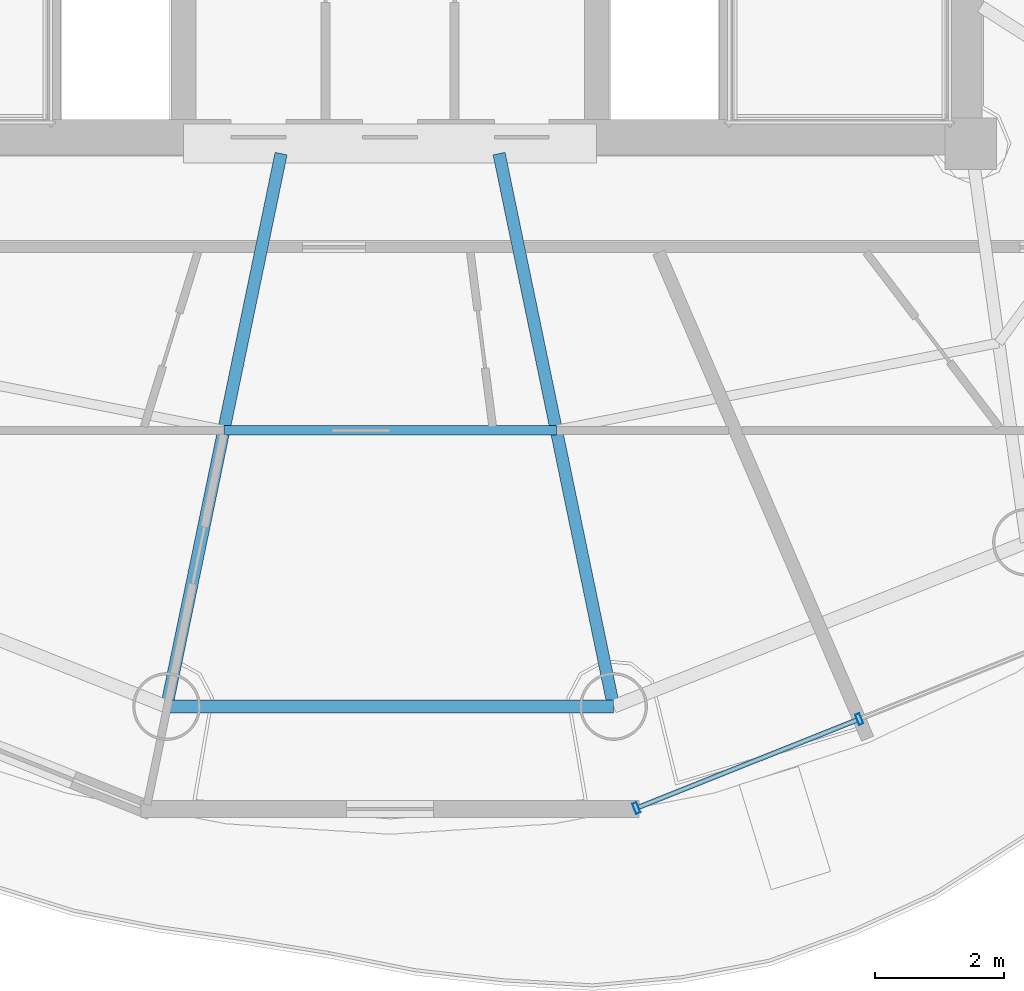
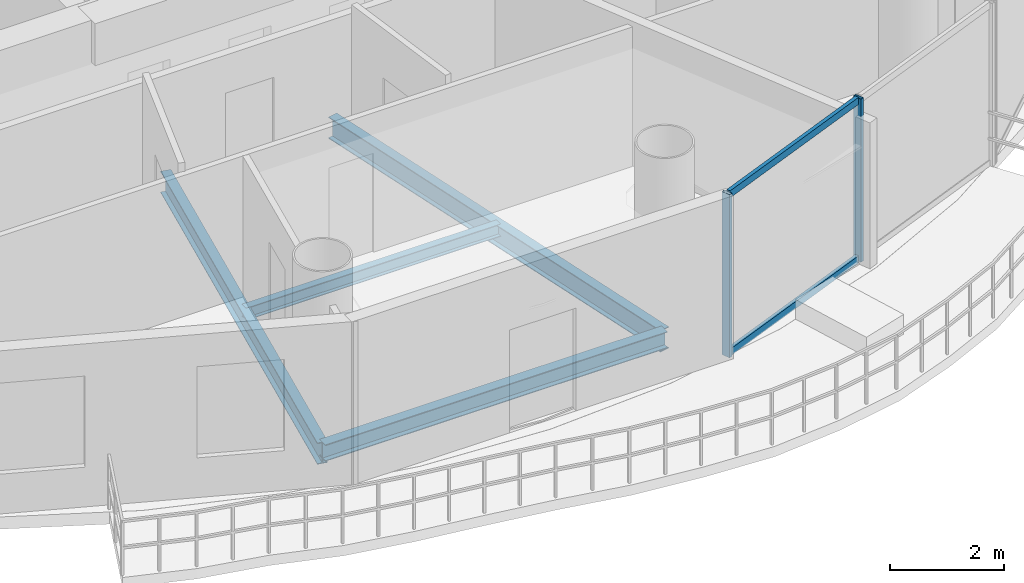
# One storey, part 5 of 24: 4 beams, 4 members, 1 element without a shape of its own.
"""IFC4 building model written with IfcOpenShell, lengths in metres."""

from ifc_helpers import new_model, si_unit, direction, frame, origin, origin_2d, place, context, subcontext, project, spatial, hollow_rectangle, i_section, extrude, source, transform, mapped, material, material_profile, profile_set, type_object, element, aggregate, save


model = new_model("IFC4")

# Units and contexts
model_context = context("Model", 3, precision=1e-05, world=origin(), true_north=direction((-0.2419218956, 0.970295726276)))
body_context = subcontext(model_context, "Body", "Model", "MODEL_VIEW")
ifc_project = project(units=[si_unit("LENGTHUNIT", "METRE"), si_unit("AREAUNIT", "SQUARE_METRE"), si_unit("VOLUMEUNIT", "CUBIC_METRE"), si_unit("PLANEANGLEUNIT", "RADIAN"), si_unit("MASSUNIT", "GRAM", prefix="KILO")], contexts=[model_context])

# Site, building, storey
site_placement = place(None, origin())
site = spatial("IfcSite", under=ifc_project, at=site_placement, CompositionType="ELEMENT")
building_placement = place(site_placement, origin())
building = spatial("IfcBuilding", under=site, at=building_placement, Name="Cobrevalo Terracotta Tower", CompositionType="ELEMENT")
storey_placement = place(building_placement, frame((0.0, 0.0, 278.199951171875)))
storey = spatial("IfcBuildingStorey", under=building, at=storey_placement, Name="L73", CompositionType="ELEMENT", Elevation=278.199951171875)

# Beams
ifc_material_1 = material(Name="Steel S355", Category="steel")
ifc_material_profile_1 = material_profile(ifc_material_1, i_section(OverallWidth=0.19091796875, OverallDepth=0.4599609375, WebThickness=0.010009765625, FlangeThickness=0.01611328125, at=origin_2d()), Name="W 460x82")
ifc_profile_set_1 = profile_set([ifc_material_profile_1], Name="Steel S355")
beam_type_1 = type_object("IfcBeamType", Name="Structural Beam W 460x82 (Steel S355)", PredefinedType="BEAM", material=ifc_profile_set_1)
for number, where, z_axis, x_axis, name in (
    (1, (34.537109375, 10.07763671875, -0.489990234375), (0.202781841237, 0.9792239401, 0.0), (-0.9792239401, 0.202781841237, 0.0), "L73 radial floor girder 12"),
    (2, (41.462890625, 10.07763671875, -0.489990234375), (-0.202781841237, 0.9792239401, 0.0), (-0.9792239401, -0.202781841237, 0.0), "L73 radial floor girder 13"),
):
    element("IfcBeam", number, at=place(storey_placement, frame(where, z_axis=z_axis, x_axis=x_axis)), inside=storey, type_object=beam_type_1, Name=name, PredefinedType="BEAM", context=body_context, shape_type="SweptSolid", body=[
        extrude(i_section(OverallWidth=0.19091796875, OverallDepth=0.4599609375, WebThickness=0.010009765625, FlangeThickness=0.01611328125, at=origin_2d()), origin(), (0.0, 0.0, 1.0), 8.749267578125),
    ])
ifc_material_profile_2 = material_profile(ifc_material_1, i_section(OverallWidth=0.14794921875, OverallDepth=0.26611328125, WebThickness=0.007568359375, FlangeThickness=0.012939453125, at=origin_2d()), Name="W 250x44.8")
ifc_profile_set_2 = profile_set([ifc_material_profile_2], Name="Steel S355")
beam_type_2 = type_object("IfcBeamType", Name="Structural Joist W 250x44.8 (Steel S355)", PredefinedType="JOIST", material=ifc_profile_set_2)
beam_1_placement = place(storey_placement, frame((35.42431640625, 14.361328125, -0.39306640625), z_axis=(1.0, 0.0, 0.0), x_axis=(0.0, 1.0, 0.0)))
element("IfcBeam", 3, at=beam_1_placement, inside=storey, type_object=beam_type_2, Name="L73 circumferential secondary floor joist 12", PredefinedType="JOIST", context=body_context, shape_type="SweptSolid", body=[
    extrude(i_section(OverallWidth=0.14794921875, OverallDepth=0.26611328125, WebThickness=0.007568359375, FlangeThickness=0.012939453125, at=origin_2d()), origin(), (0.0, 0.0, 1.0), 5.1513671875),
])
ifc_material_profile_3 = material_profile(ifc_material_1, i_section(OverallWidth=0.205078125, OverallDepth=0.35400390625, WebThickness=0.009521484375, FlangeThickness=0.016845703125, at=origin_2d()), Name="W 360x79")
ifc_profile_set_3 = profile_set([ifc_material_profile_3], Name="Steel S355")
beam_type_3 = type_object("IfcBeamType", Name="Structural Spandrel W 360x79 (Steel S355)", PredefinedType="SPANDREL", material=ifc_profile_set_3)
beam_2_placement = place(storey_placement, frame((34.537109375, 10.07763671875, -0.43701171875), z_axis=(1.0, 0.0, 0.0), x_axis=(0.0, 1.0, 0.0)))
element("IfcBeam", 4, at=beam_2_placement, inside=storey, type_object=beam_type_3, Name="L73 perimeter ring spandrel 12", PredefinedType="SPANDREL", context=body_context, shape_type="SweptSolid", body=[
    extrude(i_section(OverallWidth=0.205078125, OverallDepth=0.35400390625, WebThickness=0.009521484375, FlangeThickness=0.016845703125, at=origin_2d()), origin(), (0.0, 0.0, 1.0), 6.92578125),
])

# Curtain wall, members
ifc_material_2 = material(Name="Anodized aluminium", Category="aluminium")
curtain_wall_type = type_object("IfcCurtainWallType", Name="Upper-tower triple-glazed penthouse curtain wall CW-U3", PredefinedType="NOTDEFINED", material=ifc_material_2)
curtain_wall_placement = place(storey_placement, origin())
curtain_wall = element("IfcCurtainWall", 5, at=curtain_wall_placement, inside=storey, type_object=curtain_wall_type, Name="L73 curtain wall CW-L73-S13", PredefinedType="NOTDEFINED")
ifc_material_profile_4 = material_profile(ifc_material_2, hollow_rectangle(XDim=0.070068359375, YDim=0.169921875, WallThickness=0.00439453125, at=origin_2d()), Name="CWM 70x170")
ifc_profile_set_4 = profile_set([ifc_material_profile_4], Name="Anodized aluminium")
member_type_1 = type_object("IfcMemberType", Name="Upper tower unitised mullion 70x170", PredefinedType="MULLION", material=ifc_profile_set_4)
shared_shape_1 = source(origin(), body_context, "Body", "SweptSolid", [
    extrude(hollow_rectangle(XDim=0.070068359375, YDim=0.169921875, WallThickness=0.00439453125, at=origin_2d()), origin(), (0.0, 0.0, 1.0), 3.489990234375),
])
member_1_placement = place(storey_placement, frame((41.816162109375, 8.503662109375, 0.0), z_axis=(0.0, 0.0, 1.0), x_axis=(0.928718980883, 0.370784377433, 0.0)))
member_1 = element("IfcMember", 6, at=member_1_placement, type_object=member_type_1, Name="CW-L73-S13 vertical mullion 01", PredefinedType="MULLION", context=body_context, shape_type="MappedRepresentation", body=[
    mapped(shared_shape_1, transform((0.0, 0.0, 0.0), scale=1.0)),
])
member_2_placement = place(storey_placement, frame((45.270263671875, 9.882568359375, 0.0), z_axis=(0.0, 0.0, 1.0), x_axis=(0.928718980883, 0.370784377433, 0.0)))
member_2 = element("IfcMember", 7, at=member_2_placement, type_object=member_type_1, Name="CW-L73-S13 vertical mullion 02", PredefinedType="MULLION", context=body_context, shape_type="MappedRepresentation", body=[
    mapped(shared_shape_1, transform((0.0, 0.0, 0.0), scale=1.0)),
])
ifc_material_profile_5 = material_profile(ifc_material_2, hollow_rectangle(XDim=0.074951171875, YDim=0.14990234375, WallThickness=0.00439453125, at=origin_2d()), Name="CWT 75x150")
ifc_profile_set_5 = profile_set([ifc_material_profile_5], Name="Anodized aluminium")
member_type_2 = type_object("IfcMemberType", Name="Tower unitised aluminium transom 75x150", PredefinedType="USERDEFINED", material=ifc_profile_set_5)
shared_shape_2 = source(origin(), body_context, "Body", "SweptSolid", [
    extrude(hollow_rectangle(XDim=0.074951171875, YDim=0.14990234375, WallThickness=0.00439453125, at=origin_2d()), origin(), (0.0, 0.0, 1.0), 3.63916015625),
])
member_3_placement = place(storey_placement, frame((41.853271484375, 8.518310546875, 0.050048828125), z_axis=(0.928712471544, 0.370800681227, 0.0), x_axis=(-0.370800681227, 0.928712471544, 0.0)))
member_3 = element("IfcMember", 8, at=member_3_placement, type_object=member_type_2, Name="CW-L73-S13 transom B01-T1", ObjectType="TRANSOM", PredefinedType="USERDEFINED", context=body_context, shape_type="MappedRepresentation", body=[
    mapped(shared_shape_2, transform((0.0, 0.0, 0.0), scale=1.0)),
])
member_4_placement = place(storey_placement, frame((41.853271484375, 8.518310546875, 3.43994140625), z_axis=(0.928712471544, 0.370800681227, 0.0), x_axis=(-0.370800681227, 0.928712471544, 0.0)))
member_4 = element("IfcMember", 9, at=member_4_placement, type_object=member_type_2, Name="CW-L73-S13 transom B01-T2", ObjectType="TRANSOM", PredefinedType="USERDEFINED", context=body_context, shape_type="MappedRepresentation", body=[
    mapped(shared_shape_2, transform((0.0, 0.0, 0.0), scale=1.0)),
])
aggregate(curtain_wall, [member_1, member_2, member_3, member_4])

save(model, "model.ifc")
